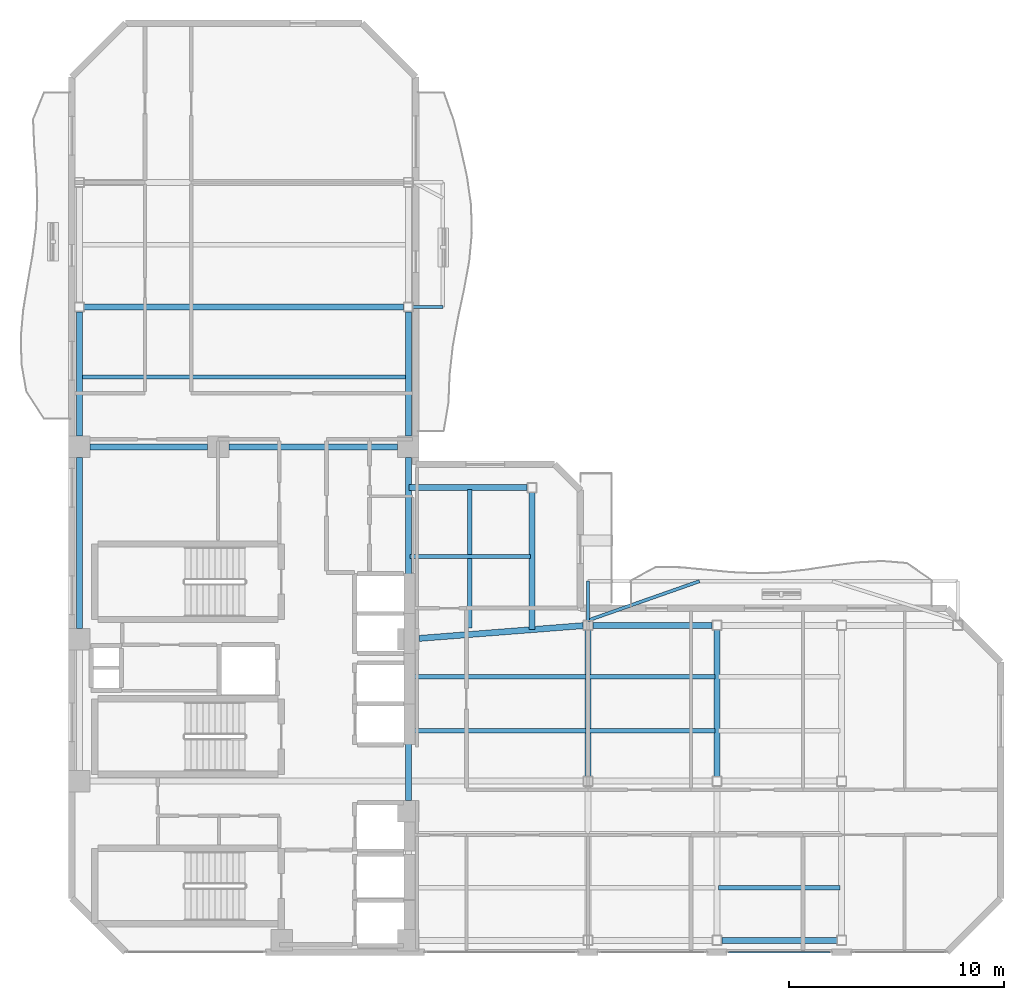
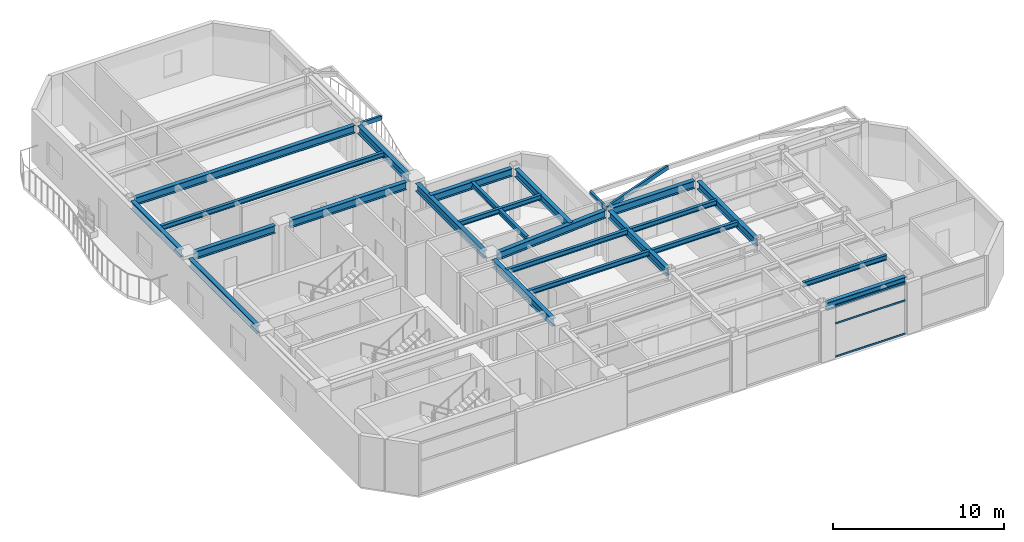
# One storey, part 6 of 15: 26 beams, 3 members, 1 element without a shape of its own.
"""IFC4 building model written with IfcOpenShell, lengths in metres."""

from ifc_helpers import new_model, si_unit, direction, frame, origin, origin_2d, place, context, subcontext, project, spatial, hollow_rectangle, i_section, extrude, material, layer, layer_set, material_profile, profile_set, type_object, element, aggregate, save


model = new_model("IFC4")

# Units and contexts
model_context = context("Model", 3, precision=1e-05, world=origin(), true_north=direction((0.0, 1.0)))
body_context = subcontext(model_context, "Body", "Model", "MODEL_VIEW")
ifc_project = project(units=[si_unit("LENGTHUNIT", "METRE"), si_unit("AREAUNIT", "SQUARE_METRE"), si_unit("VOLUMEUNIT", "CUBIC_METRE"), si_unit("PLANEANGLEUNIT", "RADIAN"), si_unit("MASSUNIT", "GRAM", prefix="KILO")], contexts=[model_context])

# Site, building, storey
site_placement = place(None, origin())
site = spatial("IfcSite", under=ifc_project, at=site_placement, CompositionType="ELEMENT")
building_placement = place(site_placement, origin())
building = spatial("IfcBuilding", under=site, at=building_placement, Name="Mawjaban Terraces University", CompositionType="ELEMENT")
storey_placement = place(building_placement, frame((0.0, 0.0, 207.0)))
storey = spatial("IfcBuildingStorey", under=building, at=storey_placement, Name="L50", CompositionType="ELEMENT", Elevation=207.0)

# Beams
ifc_material_1 = material(Name="Steel EN 10210-1 S355J2H", Category="steel")
ifc_material_profile_1 = material_profile(ifc_material_1, hollow_rectangle(XDim=0.14990234375, YDim=0.300048828125, WallThickness=0.012451171875, at=origin_2d()), Name="RHS300X150X12.5")
ifc_profile_set_1 = profile_set([ifc_material_profile_1], Name="Steel EN 10210-1 S355J2H")
beam_type_1 = type_object("IfcBeamType", Name="BalconyCantileverSpandrel_RHS", PredefinedType="SPANDREL", material=ifc_profile_set_1)
beam_1_placement = place(storey_placement, frame((46.0, 15.425048828125, 3.5400390625), z_axis=(0.0, 1.0, 0.0), x_axis=(-1.0, 0.0, 0.0)))
element("IfcBeam", 1, at=beam_1_placement, inside=storey, type_object=beam_type_1, Name="L50 Exterior Outrigger BAL-L51-N.1", PredefinedType="SPANDREL", context=body_context, shape_type="SweptSolid", body=[
    extrude(hollow_rectangle(XDim=0.14990234375, YDim=0.300048828125, WallThickness=0.012451171875, at=origin_2d()), origin(), (0.0, 0.0, 1.0), 1.824951171875),
])
beam_2_placement = place(storey_placement, frame((46.0, 15.425048828125, 3.5400390625), z_axis=(0.943279424161, 0.331999891497, 0.0), x_axis=(-0.331999891497, 0.943279424161, 0.0)))
element("IfcBeam", 2, at=beam_2_placement, inside=storey, type_object=beam_type_1, Name="L50 Exterior Diagonal Strut BAL-L51-N.1", PredefinedType="SPANDREL", context=body_context, shape_type="SweptSolid", body=[
    extrude(hollow_rectangle(XDim=0.14990234375, YDim=0.300048828125, WallThickness=0.012451171875, at=origin_2d()), origin(), (0.0, 0.0, 1.0), 5.496826171875),
])
beam_3_placement = place(storey_placement, frame((37.875, 30.0, 3.5400390625), z_axis=(1.0, 0.0, 0.0), x_axis=(0.0, 1.0, 0.0)))
element("IfcBeam", 3, at=beam_3_placement, inside=storey, type_object=beam_type_1, Name="L50 Exterior Outrigger BAL-L51-E.1", PredefinedType="SPANDREL", context=body_context, shape_type="SweptSolid", body=[
    extrude(hollow_rectangle(XDim=0.14990234375, YDim=0.300048828125, WallThickness=0.012451171875, at=origin_2d()), origin(), (0.0, 0.0, 1.0), 1.375),
])
ifc_material_2 = material(Name="Steel ASTM A572 Grade 50", Category="steel")
ifc_material_profile_2 = material_profile(ifc_material_2, i_section(OverallWidth=0.281005859375, OverallDepth=0.551025390625, WebThickness=0.01513671875, FlangeThickness=0.02587890625, at=origin_2d()), Name="W530X182")
ifc_profile_set_2 = profile_set([ifc_material_profile_2], Name="Steel ASTM A572 Grade 50")
beam_type_2 = type_object("IfcBeamType", Name="Beam_B_W530X182", PredefinedType="BEAM", material=ifc_profile_set_2)
beam_4_placement = place(storey_placement, frame((52.22509765625, 0.550048828125, 3.4150390625), z_axis=(1.0, 0.0, 0.0), x_axis=(0.0, 1.0, 0.0)))
element("IfcBeam", 4, at=beam_4_placement, inside=storey, type_object=beam_type_2, Name="L50 Beam BM-L50-EW-03", PredefinedType="BEAM", context=body_context, shape_type="SweptSolid", body=[
    extrude(i_section(OverallWidth=0.281005859375, OverallDepth=0.551025390625, WebThickness=0.01513671875, FlangeThickness=0.02587890625, at=origin_2d()), origin(), (0.0, 0.0, 1.0), 5.349853515625),
])
beam_5_placement = place(storey_placement, frame((46.22509765625, 15.199951171875, 3.4150390625), z_axis=(1.0, 0.0, 0.0), x_axis=(0.0, 1.0, 0.0)))
element("IfcBeam", 5, at=beam_5_placement, inside=storey, type_object=beam_type_2, Name="L50 Beam BM-L50-EW-07", PredefinedType="BEAM", context=body_context, shape_type="SweptSolid", body=[
    extrude(i_section(OverallWidth=0.281005859375, OverallDepth=0.551025390625, WebThickness=0.01513671875, FlangeThickness=0.02587890625, at=origin_2d()), origin(), (0.0, 0.0, 1.0), 5.5498046875),
])
beam_6_placement = place(storey_placement, frame((22.85009765625, 23.5, 3.4150390625), z_axis=(1.0, 0.0, 0.0), x_axis=(0.0, 1.0, 0.0)))
element("IfcBeam", 6, at=beam_6_placement, inside=storey, type_object=beam_type_2, Name="L50 Beam BM-L50-EW-10", PredefinedType="BEAM", context=body_context, shape_type="SweptSolid", body=[
    extrude(i_section(OverallWidth=0.281005859375, OverallDepth=0.551025390625, WebThickness=0.01513671875, FlangeThickness=0.02587890625, at=origin_2d()), origin(), (0.0, 0.0, 1.0), 5.449951171875),
])
beam_7_placement = place(storey_placement, frame((29.300048828125, 23.5, 3.4150390625), z_axis=(1.0, 0.0, 0.0), x_axis=(0.0, 1.0, 0.0)))
element("IfcBeam", 7, at=beam_7_placement, inside=storey, type_object=beam_type_2, Name="L50 Beam BM-L50-EW-11", PredefinedType="BEAM", context=body_context, shape_type="SweptSolid", body=[
    extrude(i_section(OverallWidth=0.281005859375, OverallDepth=0.551025390625, WebThickness=0.01513671875, FlangeThickness=0.02587890625, at=origin_2d()), origin(), (0.0, 0.0, 1.0), 7.849853515625),
])
beam_8_placement = place(storey_placement, frame((22.574951171875, 30.0, 3.4150390625), z_axis=(1.0, 0.0, 0.0), x_axis=(0.0, 1.0, 0.0)))
element("IfcBeam", 8, at=beam_8_placement, inside=storey, type_object=beam_type_2, Name="L50 Beam BM-L50-EW-12", PredefinedType="BEAM", context=body_context, shape_type="SweptSolid", body=[
    extrude(i_section(OverallWidth=0.281005859375, OverallDepth=0.551025390625, WebThickness=0.01513671875, FlangeThickness=0.02587890625, at=origin_2d()), origin(), (0.0, 0.0, 1.0), 14.85009765625),
])
beam_9_placement = place(storey_placement, frame((22.35009765625, 15.050048828125, 3.4150390625), z_axis=(0.0, 1.0, 0.0), x_axis=(-1.0, 0.0, 0.0)))
element("IfcBeam", 9, at=beam_9_placement, inside=storey, type_object=beam_type_2, Name="L50 Beam BM-L50-NS-02", PredefinedType="BEAM", context=body_context, shape_type="SweptSolid", body=[
    extrude(i_section(OverallWidth=0.281005859375, OverallDepth=0.551025390625, WebThickness=0.01513671875, FlangeThickness=0.02587890625, at=origin_2d()), origin(), (0.0, 0.0, 1.0), 7.949951171875),
])
beam_10_placement = place(storey_placement, frame((22.35009765625, 24.0, 3.4150390625), z_axis=(0.0, 1.0, 0.0), x_axis=(-1.0, 0.0, 0.0)))
element("IfcBeam", 10, at=beam_10_placement, inside=storey, type_object=beam_type_2, Name="L50 Beam BM-L50-NS-03", PredefinedType="BEAM", context=body_context, shape_type="SweptSolid", body=[
    extrude(i_section(OverallWidth=0.281005859375, OverallDepth=0.551025390625, WebThickness=0.01513671875, FlangeThickness=0.02587890625, at=origin_2d()), origin(), (0.0, 0.0, 1.0), 5.77490234375),
])
beam_11_placement = place(storey_placement, frame((37.64990234375, 7.050048828125, 3.4150390625), z_axis=(0.0, 1.0, 0.0), x_axis=(-1.0, 0.0, 0.0)))
element("IfcBeam", 11, at=beam_11_placement, inside=storey, type_object=beam_type_2, Name="L50 Beam BM-L50-NS-06", PredefinedType="BEAM", context=body_context, shape_type="SweptSolid", body=[
    extrude(i_section(OverallWidth=0.281005859375, OverallDepth=0.551025390625, WebThickness=0.01513671875, FlangeThickness=0.02587890625, at=origin_2d()), origin(), (0.0, 0.0, 1.0), 7.0),
])
beam_12_placement = place(storey_placement, frame((37.64990234375, 15.050048828125, 3.4150390625), z_axis=(0.0, 1.0, 0.0), x_axis=(-1.0, 0.0, 0.0)))
element("IfcBeam", 12, at=beam_12_placement, inside=storey, type_object=beam_type_2, Name="L50 Beam BM-L50-NS-07", PredefinedType="BEAM", context=body_context, shape_type="SweptSolid", body=[
    extrude(i_section(OverallWidth=0.281005859375, OverallDepth=0.551025390625, WebThickness=0.01513671875, FlangeThickness=0.02587890625, at=origin_2d()), origin(), (0.0, 0.0, 1.0), 7.949951171875),
])
beam_13_placement = place(storey_placement, frame((37.64990234375, 24.0, 3.4150390625), z_axis=(0.0, 1.0, 0.0), x_axis=(-1.0, 0.0, 0.0)))
element("IfcBeam", 13, at=beam_13_placement, inside=storey, type_object=beam_type_2, Name="L50 Beam BM-L50-NS-08", PredefinedType="BEAM", context=body_context, shape_type="SweptSolid", body=[
    extrude(i_section(OverallWidth=0.281005859375, OverallDepth=0.551025390625, WebThickness=0.01513671875, FlangeThickness=0.02587890625, at=origin_2d()), origin(), (0.0, 0.0, 1.0), 5.77490234375),
])
for number, where, z_axis, x_axis, name in (
    (14, (46.0, 8.175048828125, 3.4150390625), (0.0, 1.0, 0.0), (-1.0, 0.0, 0.0), "L50 Beam BM-L50-NS-11"),
    (15, (52.0, 8.175048828125, 3.4150390625), (0.0, 1.0, 0.0), (-1.0, 0.0, 0.0), "L50 Beam BM-L50-NS-13"),
):
    element("IfcBeam", number, at=place(storey_placement, frame(where, z_axis=z_axis, x_axis=x_axis)), inside=storey, type_object=beam_type_2, Name=name, PredefinedType="BEAM", context=body_context, shape_type="SweptSolid", body=[
        extrude(i_section(OverallWidth=0.281005859375, OverallDepth=0.551025390625, WebThickness=0.01513671875, FlangeThickness=0.02587890625, at=origin_2d()), origin(), (0.0, 0.0, 1.0), 6.800048828125),
    ])
beam_14_placement = place(storey_placement, frame((38.14794921875, 14.589111328125, 3.4150390625), z_axis=(0.99698177718, 0.077635919341, 0.0), x_axis=(-0.077635919341, 0.99698177718, 0.0)))
element("IfcBeam", 16, at=beam_14_placement, inside=storey, type_object=beam_type_2, Name="L50 Beam BM-L50-CTIE", PredefinedType="BEAM", context=body_context, shape_type="SweptSolid", body=[
    extrude(i_section(OverallWidth=0.281005859375, OverallDepth=0.551025390625, WebThickness=0.01513671875, FlangeThickness=0.02587890625, at=origin_2d()), origin(), (0.0, 0.0, 1.0), 7.651123046875),
])
beam_15_placement = place(storey_placement, frame((37.679931640625, 21.60009765625, 3.4150390625), z_axis=(1.0, 0.0, 0.0), x_axis=(0.0, 1.0, 0.0)))
element("IfcBeam", 17, at=beam_15_placement, inside=storey, type_object=beam_type_2, Name="L50 Spur Tie Girder West", PredefinedType="BEAM", context=body_context, shape_type="SweptSolid", body=[
    extrude(i_section(OverallWidth=0.281005859375, OverallDepth=0.551025390625, WebThickness=0.01513671875, FlangeThickness=0.02587890625, at=origin_2d()), origin(), (0.0, 0.0, 1.0), 5.4951171875),
])
beam_16_placement = place(storey_placement, frame((43.39990234375, 15.0, 3.4150390625), z_axis=(0.0, 1.0, 0.0), x_axis=(-1.0, 0.0, 0.0)))
element("IfcBeam", 18, at=beam_16_placement, inside=storey, type_object=beam_type_2, Name="L50 Spur Tie Girder South", PredefinedType="BEAM", context=body_context, shape_type="SweptSolid", body=[
    extrude(i_section(OverallWidth=0.281005859375, OverallDepth=0.551025390625, WebThickness=0.01513671875, FlangeThickness=0.02587890625, at=origin_2d()), origin(), (0.0, 0.0, 1.0), 6.375),
])
ifc_material_profile_3 = material_profile(ifc_material_2, i_section(OverallWidth=0.202880859375, OverallDepth=0.346923828125, WebThickness=0.0078125, FlangeThickness=0.013427734375, at=origin_2d()), Name="W360X64")
ifc_profile_set_3 = profile_set([ifc_material_profile_3], Name="Steel ASTM A572 Grade 50")
beam_type_3 = type_object("IfcBeamType", Name="Beam_J_W360X64", PredefinedType="JOIST", material=ifc_profile_set_3)
beam_17_placement = place(storey_placement, frame((52.080078125, 3.0, 3.51708984375), z_axis=(1.0, 0.0, 0.0), x_axis=(0.0, 1.0, 0.0)))
element("IfcBeam", 19, at=beam_17_placement, inside=storey, type_object=beam_type_3, Name="L50 Composite Joist JST-L50-03", PredefinedType="JOIST", context=body_context, shape_type="SweptSolid", body=[
    extrude(i_section(OverallWidth=0.202880859375, OverallDepth=0.346923828125, WebThickness=0.0078125, FlangeThickness=0.013427734375, at=origin_2d()), origin(), (0.0, 0.0, 1.0), 5.639892578125),
])
beam_18_placement = place(storey_placement, frame((37.72998046875, 10.300048828125, 3.51708984375), z_axis=(1.0, 0.0, 0.0), x_axis=(0.0, 1.0, 0.0)))
element("IfcBeam", 20, at=beam_18_placement, inside=storey, type_object=beam_type_3, Name="L50 Composite Joist JST-L50-07", PredefinedType="JOIST", context=body_context, shape_type="SweptSolid", body=[
    extrude(i_section(OverallWidth=0.202880859375, OverallDepth=0.346923828125, WebThickness=0.0078125, FlangeThickness=0.013427734375, at=origin_2d()), origin(), (0.0, 0.0, 1.0), 8.18994140625),
])
beam_19_placement = place(storey_placement, frame((46.080078125, 10.300048828125, 3.51708984375), z_axis=(1.0, 0.0, 0.0), x_axis=(0.0, 1.0, 0.0)))
element("IfcBeam", 21, at=beam_19_placement, inside=storey, type_object=beam_type_3, Name="L50 Composite Joist JST-L50-08", PredefinedType="JOIST", context=body_context, shape_type="SweptSolid", body=[
    extrude(i_section(OverallWidth=0.202880859375, OverallDepth=0.346923828125, WebThickness=0.0078125, FlangeThickness=0.013427734375, at=origin_2d()), origin(), (0.0, 0.0, 1.0), 5.83984375),
])
beam_20_placement = place(storey_placement, frame((37.72998046875, 12.800048828125, 3.51708984375), z_axis=(1.0, 0.0, 0.0), x_axis=(0.0, 1.0, 0.0)))
element("IfcBeam", 22, at=beam_20_placement, inside=storey, type_object=beam_type_3, Name="L50 Composite Joist JST-L50-10", PredefinedType="JOIST", context=body_context, shape_type="SweptSolid", body=[
    extrude(i_section(OverallWidth=0.202880859375, OverallDepth=0.346923828125, WebThickness=0.0078125, FlangeThickness=0.013427734375, at=origin_2d()), origin(), (0.0, 0.0, 1.0), 8.18994140625),
])
beam_21_placement = place(storey_placement, frame((46.080078125, 12.800048828125, 3.51708984375), z_axis=(1.0, 0.0, 0.0), x_axis=(0.0, 1.0, 0.0)))
element("IfcBeam", 23, at=beam_21_placement, inside=storey, type_object=beam_type_3, Name="L50 Composite Joist JST-L50-11", PredefinedType="JOIST", context=body_context, shape_type="SweptSolid", body=[
    extrude(i_section(OverallWidth=0.202880859375, OverallDepth=0.346923828125, WebThickness=0.0078125, FlangeThickness=0.013427734375, at=origin_2d()), origin(), (0.0, 0.0, 1.0), 5.83984375),
])
beam_22_placement = place(storey_placement, frame((37.72998046875, 18.39990234375, 3.51708984375), z_axis=(1.0, 0.0, 0.0), x_axis=(0.0, 1.0, 0.0)))
element("IfcBeam", 24, at=beam_22_placement, inside=storey, type_object=beam_type_3, Name="L50 Composite Joist JST-L50-13", PredefinedType="JOIST", context=body_context, shape_type="SweptSolid", body=[
    extrude(i_section(OverallWidth=0.202880859375, OverallDepth=0.346923828125, WebThickness=0.0078125, FlangeThickness=0.013427734375, at=origin_2d()), origin(), (0.0, 0.0, 1.0), 5.590087890625),
])
beam_23_placement = place(storey_placement, frame((22.429931640625, 26.75, 3.51708984375), z_axis=(1.0, 0.0, 0.0), x_axis=(0.0, 1.0, 0.0)))
element("IfcBeam", 25, at=beam_23_placement, inside=storey, type_object=beam_type_3, Name="L50 Composite Joist JST-L50-14", PredefinedType="JOIST", context=body_context, shape_type="SweptSolid", body=[
    extrude(i_section(OverallWidth=0.202880859375, OverallDepth=0.346923828125, WebThickness=0.0078125, FlangeThickness=0.013427734375, at=origin_2d()), origin(), (0.0, 0.0, 1.0), 15.14013671875),
])
beam_24_placement = place(storey_placement, frame((40.5, 15.080078125, 3.51708984375), z_axis=(0.0, 1.0, 0.0), x_axis=(-1.0, 0.0, 0.0)))
element("IfcBeam", 26, at=beam_24_placement, inside=storey, type_object=beam_type_3, Name="L50 Composite Joist JST-L50-NS-16", PredefinedType="JOIST", context=body_context, shape_type="SweptSolid", body=[
    extrude(i_section(OverallWidth=0.202880859375, OverallDepth=0.346923828125, WebThickness=0.0078125, FlangeThickness=0.013427734375, at=origin_2d()), origin(), (0.0, 0.0, 1.0), 6.43994140625),
])

# Curtain wall, members
ifc_material_3 = material(Name="Anodised aluminium 6063-T6 and solar-control low-E glass", Category="aluminium")
ifc_layer = layer(ifc_material_3, 0.159912109375)
ifc_layer_set = layer_set([ifc_layer], Name="Anodised aluminium 6063-T6 and solar-control low-E glass")
curtain_wall_type = type_object("IfcCurtainWallType", Name="CWSystem_03_NorthWing", PredefinedType="NOTDEFINED", material=ifc_layer_set)
curtain_wall_placement = place(storey_placement, origin())
curtain_wall = element("IfcCurtainWall", 27, at=curtain_wall_placement, inside=storey, type_object=curtain_wall_type, Name="L50 Curtain Wall CW-03 Run 1.4", PredefinedType="NOTDEFINED")
ifc_material_4 = material(Name="Anodised aluminium 6063-T6", Category="aluminium")
ifc_material_profile_4 = material_profile(ifc_material_4, hollow_rectangle(XDim=0.06005859375, YDim=0.1201171875, WallThickness=0.00341796875, at=origin_2d()), Name="ALU120X60X3.5")
ifc_profile_set_4 = profile_set([ifc_material_profile_4], Name="Anodised aluminium 6063-T6")
member_type = type_object("IfcMemberType", Name="Transom_CW-03", PredefinedType="NOTDEFINED", material=ifc_profile_set_4)
member_1_placement = place(storey_placement, frame((52.5400390625, 0.0, 0.030029296875), z_axis=(1.0, 0.0, 0.0), x_axis=(0.0, 1.0, 0.0)))
member_1 = element("IfcMember", 28, at=member_1_placement, type_object=member_type, Name="CW-03 transom 1.1", ObjectType="TRANSOM", PredefinedType="USERDEFINED", context=body_context, shape_type="SweptSolid", body=[
    extrude(hollow_rectangle(XDim=0.06005859375, YDim=0.1201171875, WallThickness=0.00341796875, at=origin_2d()), origin(), (0.0, 0.0, 1.0), 4.719970703125),
])
member_2_placement = place(storey_placement, frame((52.5400390625, 0.0, 2.39892578125), z_axis=(1.0, 0.0, 0.0), x_axis=(0.0, 1.0, 0.0)))
member_2 = element("IfcMember", 29, at=member_2_placement, type_object=member_type, Name="CW-03 transom 1.2", ObjectType="TRANSOM", PredefinedType="USERDEFINED", context=body_context, shape_type="SweptSolid", body=[
    extrude(hollow_rectangle(XDim=0.06005859375, YDim=0.1201171875, WallThickness=0.00341796875, at=origin_2d()), origin(), (0.0, 0.0, 1.0), 4.719970703125),
])
member_3_placement = place(storey_placement, frame((52.5400390625, 0.0, 3.659912109375), z_axis=(1.0, 0.0, 0.0), x_axis=(0.0, 1.0, 0.0)))
member_3 = element("IfcMember", 30, at=member_3_placement, type_object=member_type, Name="CW-03 transom 1.3", ObjectType="TRANSOM", PredefinedType="USERDEFINED", context=body_context, shape_type="SweptSolid", body=[
    extrude(hollow_rectangle(XDim=0.06005859375, YDim=0.1201171875, WallThickness=0.00341796875, at=origin_2d()), origin(), (0.0, 0.0, 1.0), 4.719970703125),
])
aggregate(curtain_wall, [member_1, member_2, member_3])

save(model, "model.ifc")
